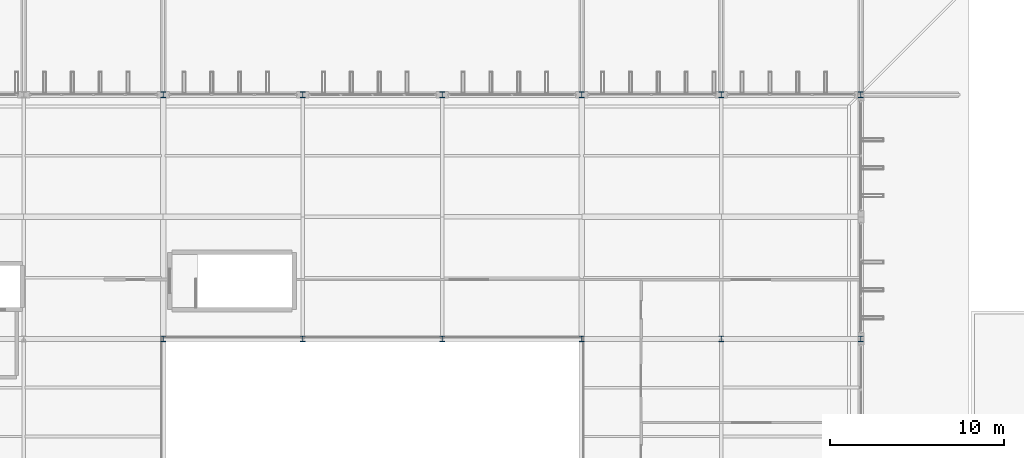
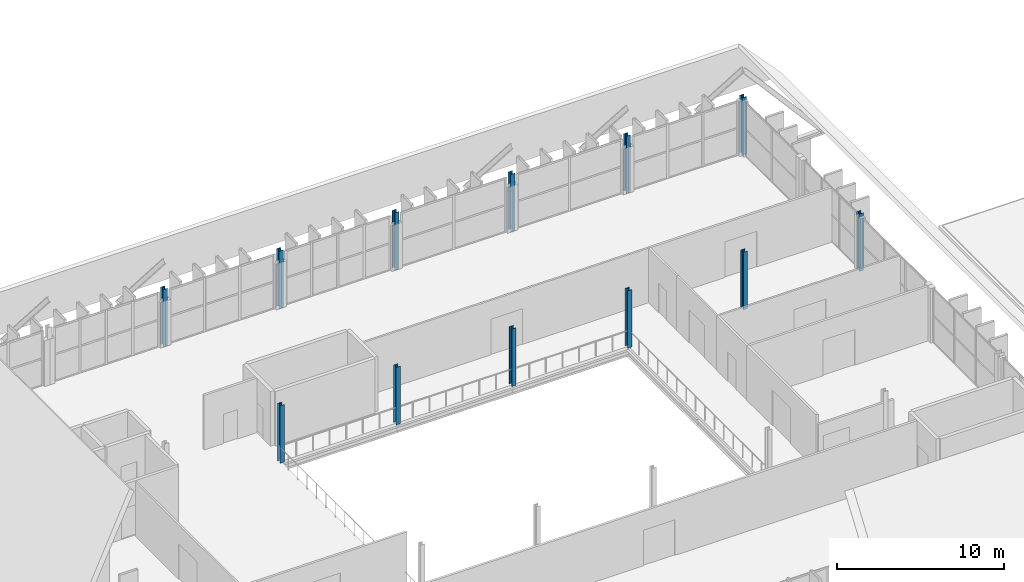
# One storey, part 8 of 93: 12 columns.
"""IFC4 building model written with IfcOpenShell, lengths in metres."""

from ifc_helpers import new_model, si_unit, direction, frame, origin, origin_2d, place, context, subcontext, project, spatial, i_section, extrude, material, material_profile, profile_set, type_object, element, save


model = new_model("IFC4")

# Units and contexts
model_context = context("Model", 3, precision=1e-05, world=origin(), true_north=direction((0.0, 1.0)))
body_context = subcontext(model_context, "Body", "Model", "MODEL_VIEW")
ifc_project = project(units=[si_unit("LENGTHUNIT", "METRE"), si_unit("AREAUNIT", "SQUARE_METRE"), si_unit("VOLUMEUNIT", "CUBIC_METRE"), si_unit("PLANEANGLEUNIT", "RADIAN"), si_unit("MASSUNIT", "GRAM", prefix="KILO")], contexts=[model_context])

# Site, building, storey
site_placement = place(None, origin())
site = spatial("IfcSite", under=ifc_project, at=site_placement, CompositionType="ELEMENT")
building_placement = place(site_placement, origin())
building = spatial("IfcBuilding", under=site, at=building_placement, Name="Vekula Escarpment Museum", CompositionType="ELEMENT")
storey_placement = place(building_placement, frame((0.0, 0.0, 22.199951171875)))
storey = spatial("IfcBuildingStorey", under=building, at=storey_placement, Name="L05", CompositionType="ELEMENT", Elevation=22.199951171875)

# Columns
ifc_material = material(Name="Steel S355", Category="steel")
ifc_material_profile = material_profile(ifc_material, i_section(OverallWidth=0.300048828125, OverallDepth=0.320068359375, WebThickness=0.011474609375, FlangeThickness=0.0205078125, FilletRadius=0.027099609375, at=origin_2d()), Name="HEB 320")
ifc_profile_set = profile_set([ifc_material_profile], Name="Steel S355")
column_type = type_object("IfcColumnType", Name="COL-S-HEB320", PredefinedType="COLUMN", material=ifc_profile_set)
for number, where, z_axis, x_axis, name in (
    (1, (86.0, 76.39990234375, 0.0), (0.0, 0.0, 1.0), (1.0, 0.0, 0.0), "Column L05 (86.0,76.4)"),
    (2, (86.0, 90.39990234375, 0.0), (0.0, 0.0, 1.0), (1.0, 0.0, 0.0), "Column L05 (86.0,90.4)"),
    (3, (94.0, 76.39990234375, 0.0), (0.0, 0.0, 1.0), (1.0, 0.0, 0.0), "Column L05 (94.0,76.4)"),
    (4, (94.0, 90.39990234375, 0.0), (0.0, 0.0, 1.0), (1.0, 0.0, 0.0), "Column L05 (94.0,90.4)"),
    (5, (102.0, 76.39990234375, 0.0), (0.0, 0.0, 1.0), (1.0, 0.0, 0.0), "Column L05 (102.0,76.4)"),
    (6, (102.0, 90.39990234375, 0.0), (0.0, 0.0, 1.0), (1.0, 0.0, 0.0), "Column L05 (102.0,90.4)"),
    (7, (110.0, 76.39990234375, 0.0), (0.0, 0.0, 1.0), (1.0, 0.0, 0.0), "Column L05 (110.0,76.4)"),
    (8, (110.0, 90.39990234375, 0.0), (0.0, 0.0, 1.0), (1.0, 0.0, 0.0), "Column L05 (110.0,90.4)"),
    (9, (118.0, 76.39990234375, 0.0), (0.0, 0.0, 1.0), (1.0, 0.0, 0.0), "Column L05 (118.0,76.4)"),
    (10, (118.0, 90.39990234375, 0.0), (0.0, 0.0, 1.0), (1.0, 0.0, 0.0), "Column L05 (118.0,90.4)"),
    (11, (126.0, 76.39990234375, 0.0), (0.0, 0.0, 1.0), (1.0, 0.0, 0.0), "Column L05 (126.0,76.4)"),
    (12, (126.0, 90.39990234375, 0.0), (0.0, 0.0, 1.0), (1.0, 0.0, 0.0), "Column L05 (126.0,90.4)"),
):
    element("IfcColumn", number, at=place(storey_placement, frame(where, z_axis=z_axis, x_axis=x_axis)), inside=storey, type_object=column_type, Name=name, PredefinedType="COLUMN", context=body_context, shape_type="SweptSolid", body=[
        extrude(i_section(OverallWidth=0.300048828125, OverallDepth=0.320068359375, WebThickness=0.011474609375, FlangeThickness=0.0205078125, FilletRadius=0.027099609375, at=origin_2d()), origin(), (0.0, 0.0, 1.0), 4.199951171875),
    ])

save(model, "model.ifc")
